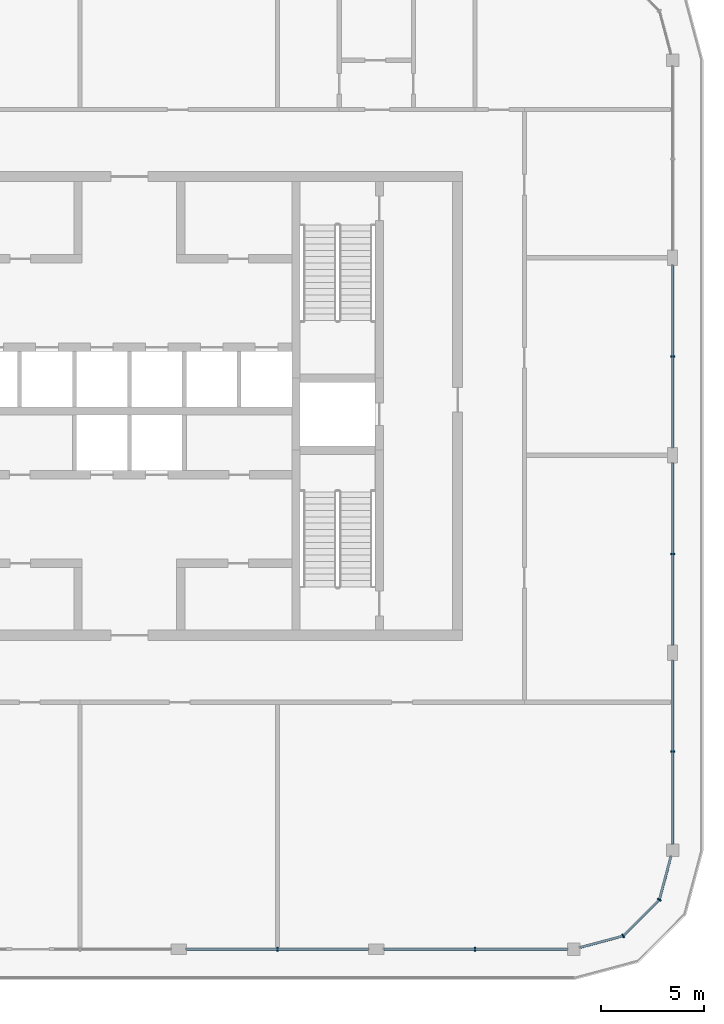
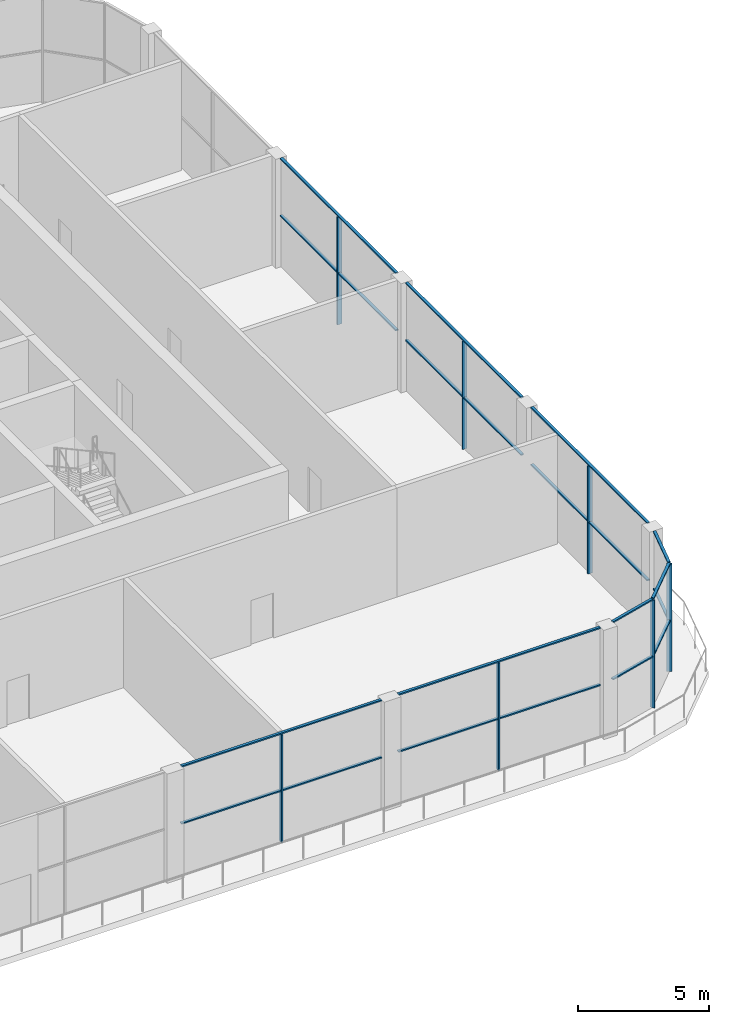
# One storey, part 4 of 15: 28 members, 6 elements without a shape of their own.
"""IFC4 building model written with IfcOpenShell, lengths in metres."""

from ifc_helpers import new_model, si_unit, direction, frame, origin, origin_2d, place, context, subcontext, project, spatial, rectangle, extrude, material, layer, layer_set, material_profile, profile_set, type_object, element, aggregate, save


model = new_model("IFC4")

# Units and contexts
model_context = context("Model", 3, precision=1e-05, world=origin(), true_north=direction((0.0, 1.0)))
body_context = subcontext(model_context, "Body", "Model", "MODEL_VIEW")
ifc_project = project(units=[si_unit("LENGTHUNIT", "METRE"), si_unit("AREAUNIT", "SQUARE_METRE"), si_unit("VOLUMEUNIT", "CUBIC_METRE"), si_unit("PLANEANGLEUNIT", "RADIAN"), si_unit("MASSUNIT", "GRAM", prefix="KILO")], contexts=[model_context])

# Site, building, storey
site_placement = place(None, origin())
site = spatial("IfcSite", under=ifc_project, at=site_placement, CompositionType="ELEMENT")
building_placement = place(site_placement, origin())
building = spatial("IfcBuilding", under=site, at=building_placement, Name="Madar Terraces", CompositionType="ELEMENT")
storey_placement = place(building_placement, frame((0.0, 0.0, 286.10009765625)))
storey = spatial("IfcBuildingStorey", under=building, at=storey_placement, Name="L75", CompositionType="ELEMENT", Elevation=286.10009765625)

# Curtain wall, member
ifc_material_1 = material(Name="Glass, clear low-iron, with black aluminium frame", Category="aluminium")
ifc_layer = layer(ifc_material_1, 0.199951171875)
ifc_layer_set = layer_set([ifc_layer], Name="Facade curtain wall, observation glazing")
curtain_wall_type = type_object("IfcCurtainWallType", Name="Facade curtain wall, observation glazing", PredefinedType="NOTDEFINED", material=ifc_layer_set)
curtain_wall_1_placement = place(storey_placement, origin())
curtain_wall_1 = element("IfcCurtainWall", 1, at=curtain_wall_1_placement, inside=storey, type_object=curtain_wall_type, Name="Outer skin curtain wall south bay 4", PredefinedType="NOTDEFINED")
ifc_material_2 = material(Name="Aluminium, black anodised", Category="aluminium")
ifc_material_profile_1 = material_profile(ifc_material_2, rectangle(XDim=0.199951171875, YDim=0.06005859375, at=origin_2d()), Name="Facade mullion 60x200")
ifc_profile_set_1 = profile_set([ifc_material_profile_1], Name="Aluminium, black anodised")
member_type_1 = type_object("IfcMemberType", Name="Facade mullion 60x200", PredefinedType="MULLION", material=ifc_profile_set_1)
member_1_placement = place(storey_placement, frame((38.39990234375, 0.0, 0.0), z_axis=(0.0, 0.0, 1.0), x_axis=(0.0, 1.0, 0.0)))
member_1 = element("IfcMember", 2, at=member_1_placement, type_object=member_type_1, Name="Mullion 1", PredefinedType="MULLION", context=body_context, shape_type="SweptSolid", body=[
    extrude(rectangle(XDim=0.199951171875, YDim=0.06005859375, at=origin_2d()), origin(), (0.0, 0.0, 1.0), 5.039794921875),
])

curtain_wall_2_placement = place(storey_placement, origin())
curtain_wall_2 = element("IfcCurtainWall", 3, at=curtain_wall_2_placement, inside=storey, type_object=curtain_wall_type, Name="Outer skin curtain wall south bay 5", PredefinedType="NOTDEFINED")
member_2_placement = place(storey_placement, frame((48.0, 0.0, 0.0), z_axis=(0.0, 0.0, 1.0), x_axis=(0.0, 1.0, 0.0)))
member_2 = element("IfcMember", 4, at=member_2_placement, type_object=member_type_1, Name="Mullion 1", PredefinedType="MULLION", context=body_context, shape_type="SweptSolid", body=[
    extrude(rectangle(XDim=0.199951171875, YDim=0.06005859375, at=origin_2d()), origin(), (0.0, 0.0, 1.0), 5.039794921875),
])

curtain_wall_3_placement = place(storey_placement, origin())
curtain_wall_3 = element("IfcCurtainWall", 5, at=curtain_wall_3_placement, inside=storey, type_object=curtain_wall_type, Name="Outer skin curtain wall east bay 1", PredefinedType="NOTDEFINED")
member_3_placement = place(storey_placement, frame((57.60009765625, 9.60009765625, 0.0), z_axis=(0.0, 0.0, 1.0), x_axis=(-1.0, 0.0, 0.0)))
member_3 = element("IfcMember", 6, at=member_3_placement, type_object=member_type_1, Name="Mullion 1", PredefinedType="MULLION", context=body_context, shape_type="SweptSolid", body=[
    extrude(rectangle(XDim=0.199951171875, YDim=0.06005859375, at=origin_2d()), origin(), (0.0, 0.0, 1.0), 5.039794921875),
])

curtain_wall_4_placement = place(storey_placement, origin())
curtain_wall_4 = element("IfcCurtainWall", 7, at=curtain_wall_4_placement, inside=storey, type_object=curtain_wall_type, Name="Outer skin curtain wall east bay 2", PredefinedType="NOTDEFINED")
member_4_placement = place(storey_placement, frame((57.60009765625, 19.199951171875, 0.0), z_axis=(0.0, 0.0, 1.0), x_axis=(-1.0, 0.0, 0.0)))
member_4 = element("IfcMember", 8, at=member_4_placement, type_object=member_type_1, Name="Mullion 1", PredefinedType="MULLION", context=body_context, shape_type="SweptSolid", body=[
    extrude(rectangle(XDim=0.199951171875, YDim=0.06005859375, at=origin_2d()), origin(), (0.0, 0.0, 1.0), 5.039794921875),
])

curtain_wall_5_placement = place(storey_placement, origin())
curtain_wall_5 = element("IfcCurtainWall", 9, at=curtain_wall_5_placement, inside=storey, type_object=curtain_wall_type, Name="Outer skin curtain wall east bay 3", PredefinedType="NOTDEFINED")
member_5_placement = place(storey_placement, frame((57.60009765625, 28.800048828125, 0.0), z_axis=(0.0, 0.0, 1.0), x_axis=(-1.0, 0.0, 0.0)))
member_5 = element("IfcMember", 10, at=member_5_placement, type_object=member_type_1, Name="Mullion 1", PredefinedType="MULLION", context=body_context, shape_type="SweptSolid", body=[
    extrude(rectangle(XDim=0.199951171875, YDim=0.06005859375, at=origin_2d()), origin(), (0.0, 0.0, 1.0), 5.039794921875),
])

# Curtain wall, members
curtain_wall_6_placement = place(storey_placement, origin())
curtain_wall_6 = element("IfcCurtainWall", 11, at=curtain_wall_6_placement, inside=storey, type_object=curtain_wall_type, Name="Outer skin curtain wall south-east corner", PredefinedType="NOTDEFINED")
member_6_placement = place(storey_placement, frame((55.199951171875, 0.64306640625, 0.0), z_axis=(0.0, 0.0, 1.0), x_axis=(-0.499999989586, 0.866025409797, 0.0)))
member_6 = element("IfcMember", 12, at=member_6_placement, type_object=member_type_1, Name="Mullion 1", PredefinedType="MULLION", context=body_context, shape_type="SweptSolid", body=[
    extrude(rectangle(XDim=0.199951171875, YDim=0.06005859375, at=origin_2d()), origin(), (0.0, 0.0, 1.0), 5.039794921875),
])
member_7_placement = place(storey_placement, frame((56.95703125, 2.39990234375, 0.0), z_axis=(0.0, 0.0, 1.0), x_axis=(-0.866025409797, 0.499999989586, 0.0)))
member_7 = element("IfcMember", 13, at=member_7_placement, type_object=member_type_1, Name="Mullion 2", PredefinedType="MULLION", context=body_context, shape_type="SweptSolid", body=[
    extrude(rectangle(XDim=0.199951171875, YDim=0.06005859375, at=origin_2d()), origin(), (0.0, 0.0, 1.0), 5.039794921875),
])

# Member
ifc_material_3 = material(Name="Aluminium, black anodised", Category="aluminium")
ifc_material_profile_2 = material_profile(ifc_material_3, rectangle(XDim=0.1201171875, YDim=0.06005859375, at=origin_2d()), Name="Facade transom 60x120")
ifc_profile_set_2 = profile_set([ifc_material_profile_2], Name="Aluminium, black anodised")
member_type_2 = type_object("IfcMemberType", Name="Facade transom 60x120", PredefinedType="USERDEFINED", material=ifc_profile_set_2)
member_8_placement = place(storey_placement, frame((33.97509765625, 0.0, 5.06982421875), z_axis=(1.0, 0.0, 0.0), x_axis=(0.0, 1.0, 0.0)))
member_8 = element("IfcMember", 14, at=member_8_placement, type_object=member_type_2, Name="Transom 1", ObjectType="TRANSOM", PredefinedType="USERDEFINED", context=body_context, shape_type="SweptSolid", body=[
    extrude(rectangle(XDim=0.1201171875, YDim=0.06005859375, at=origin_2d()), origin(), (0.0, 0.0, 1.0), 8.849853515625),
])

member_9_placement = place(storey_placement, frame((33.97509765625, 0.0, 2.39990234375), z_axis=(1.0, 0.0, 0.0), x_axis=(0.0, 1.0, 0.0)))
member_9 = element("IfcMember", 15, at=member_9_placement, type_object=member_type_2, Name="Transom 2", ObjectType="TRANSOM", PredefinedType="USERDEFINED", context=body_context, shape_type="SweptSolid", body=[
    extrude(rectangle(XDim=0.1201171875, YDim=0.06005859375, at=origin_2d()), origin(), (0.0, 0.0, 1.0), 4.39501953125),
])

member_10_placement = place(storey_placement, frame((38.429931640625, 0.0, 2.39990234375), z_axis=(1.0, 0.0, 0.0), x_axis=(0.0, 1.0, 0.0)))
member_10 = element("IfcMember", 16, at=member_10_placement, type_object=member_type_2, Name="Transom 3", ObjectType="TRANSOM", PredefinedType="USERDEFINED", context=body_context, shape_type="SweptSolid", body=[
    extrude(rectangle(XDim=0.1201171875, YDim=0.06005859375, at=origin_2d()), origin(), (0.0, 0.0, 1.0), 4.39501953125),
])

aggregate(curtain_wall_1, [member_1, member_8, member_9, member_10])

member_11_placement = place(storey_placement, frame((43.574951171875, 0.0, 5.06982421875), z_axis=(1.0, 0.0, 0.0), x_axis=(0.0, 1.0, 0.0)))
member_11 = element("IfcMember", 17, at=member_11_placement, type_object=member_type_2, Name="Transom 1", ObjectType="TRANSOM", PredefinedType="USERDEFINED", context=body_context, shape_type="SweptSolid", body=[
    extrude(rectangle(XDim=0.1201171875, YDim=0.06005859375, at=origin_2d()), origin(), (0.0, 0.0, 1.0), 8.925048828125),
])

member_12_placement = place(storey_placement, frame((43.574951171875, 0.0, 2.39990234375), z_axis=(1.0, 0.0, 0.0), x_axis=(0.0, 1.0, 0.0)))
member_12 = element("IfcMember", 18, at=member_12_placement, type_object=member_type_2, Name="Transom 2", ObjectType="TRANSOM", PredefinedType="USERDEFINED", context=body_context, shape_type="SweptSolid", body=[
    extrude(rectangle(XDim=0.1201171875, YDim=0.06005859375, at=origin_2d()), origin(), (0.0, 0.0, 1.0), 4.39501953125),
])

member_13_placement = place(storey_placement, frame((48.030029296875, 0.0, 2.39990234375), z_axis=(1.0, 0.0, 0.0), x_axis=(0.0, 1.0, 0.0)))
member_13 = element("IfcMember", 19, at=member_13_placement, type_object=member_type_2, Name="Transom 3", ObjectType="TRANSOM", PredefinedType="USERDEFINED", context=body_context, shape_type="SweptSolid", body=[
    extrude(rectangle(XDim=0.1201171875, YDim=0.06005859375, at=origin_2d()), origin(), (0.0, 0.0, 1.0), 4.469970703125),
])

aggregate(curtain_wall_2, [member_2, member_11, member_12, member_13])

member_14_placement = place(storey_placement, frame((57.60009765625, 5.10009765625, 5.06982421875), z_axis=(0.0, 1.0, 0.0), x_axis=(-1.0, 0.0, 0.0)))
member_14 = element("IfcMember", 20, at=member_14_placement, type_object=member_type_2, Name="Transom 1", ObjectType="TRANSOM", PredefinedType="USERDEFINED", context=body_context, shape_type="SweptSolid", body=[
    extrude(rectangle(XDim=0.1201171875, YDim=0.06005859375, at=origin_2d()), origin(), (0.0, 0.0, 1.0), 8.9248046875),
])

member_15_placement = place(storey_placement, frame((57.60009765625, 5.10009765625, 2.39990234375), z_axis=(0.0, 1.0, 0.0), x_axis=(-1.0, 0.0, 0.0)))
member_15 = element("IfcMember", 21, at=member_15_placement, type_object=member_type_2, Name="Transom 2", ObjectType="TRANSOM", PredefinedType="USERDEFINED", context=body_context, shape_type="SweptSolid", body=[
    extrude(rectangle(XDim=0.1201171875, YDim=0.06005859375, at=origin_2d()), origin(), (0.0, 0.0, 1.0), 4.469970703125),
])

member_16_placement = place(storey_placement, frame((57.60009765625, 9.6298828125, 2.39990234375), z_axis=(0.0, 1.0, 0.0), x_axis=(-1.0, 0.0, 0.0)))
member_16 = element("IfcMember", 22, at=member_16_placement, type_object=member_type_2, Name="Transom 3", ObjectType="TRANSOM", PredefinedType="USERDEFINED", context=body_context, shape_type="SweptSolid", body=[
    extrude(rectangle(XDim=0.1201171875, YDim=0.06005859375, at=origin_2d()), origin(), (0.0, 0.0, 1.0), 4.39501953125),
])

aggregate(curtain_wall_3, [member_3, member_14, member_15, member_16])

member_17_placement = place(storey_placement, frame((57.60009765625, 14.77490234375, 5.06982421875), z_axis=(0.0, 1.0, 0.0), x_axis=(-1.0, 0.0, 0.0)))
member_17 = element("IfcMember", 23, at=member_17_placement, type_object=member_type_2, Name="Transom 1", ObjectType="TRANSOM", PredefinedType="USERDEFINED", context=body_context, shape_type="SweptSolid", body=[
    extrude(rectangle(XDim=0.1201171875, YDim=0.06005859375, at=origin_2d()), origin(), (0.0, 0.0, 1.0), 8.85009765625),
])

member_18_placement = place(storey_placement, frame((57.60009765625, 14.77490234375, 2.39990234375), z_axis=(0.0, 1.0, 0.0), x_axis=(-1.0, 0.0, 0.0)))
member_18 = element("IfcMember", 24, at=member_18_placement, type_object=member_type_2, Name="Transom 2", ObjectType="TRANSOM", PredefinedType="USERDEFINED", context=body_context, shape_type="SweptSolid", body=[
    extrude(rectangle(XDim=0.1201171875, YDim=0.06005859375, at=origin_2d()), origin(), (0.0, 0.0, 1.0), 4.39501953125),
])

member_19_placement = place(storey_placement, frame((57.60009765625, 19.22998046875, 2.39990234375), z_axis=(0.0, 1.0, 0.0), x_axis=(-1.0, 0.0, 0.0)))
member_19 = element("IfcMember", 25, at=member_19_placement, type_object=member_type_2, Name="Transom 3", ObjectType="TRANSOM", PredefinedType="USERDEFINED", context=body_context, shape_type="SweptSolid", body=[
    extrude(rectangle(XDim=0.1201171875, YDim=0.06005859375, at=origin_2d()), origin(), (0.0, 0.0, 1.0), 4.39501953125),
])

aggregate(curtain_wall_4, [member_4, member_17, member_18, member_19])

member_20_placement = place(storey_placement, frame((57.60009765625, 24.375, 5.06982421875), z_axis=(0.0, 1.0, 0.0), x_axis=(-1.0, 0.0, 0.0)))
member_20 = element("IfcMember", 26, at=member_20_placement, type_object=member_type_2, Name="Transom 1", ObjectType="TRANSOM", PredefinedType="USERDEFINED", context=body_context, shape_type="SweptSolid", body=[
    extrude(rectangle(XDim=0.1201171875, YDim=0.06005859375, at=origin_2d()), origin(), (0.0, 0.0, 1.0), 8.85009765625),
])

member_21_placement = place(storey_placement, frame((57.60009765625, 24.375, 2.39990234375), z_axis=(0.0, 1.0, 0.0), x_axis=(-1.0, 0.0, 0.0)))
member_21 = element("IfcMember", 27, at=member_21_placement, type_object=member_type_2, Name="Transom 2", ObjectType="TRANSOM", PredefinedType="USERDEFINED", context=body_context, shape_type="SweptSolid", body=[
    extrude(rectangle(XDim=0.1201171875, YDim=0.06005859375, at=origin_2d()), origin(), (0.0, 0.0, 1.0), 4.39501953125),
])

member_22_placement = place(storey_placement, frame((57.60009765625, 28.830078125, 2.39990234375), z_axis=(0.0, 1.0, 0.0), x_axis=(-1.0, 0.0, 0.0)))
member_22 = element("IfcMember", 28, at=member_22_placement, type_object=member_type_2, Name="Transom 3", ObjectType="TRANSOM", PredefinedType="USERDEFINED", context=body_context, shape_type="SweptSolid", body=[
    extrude(rectangle(XDim=0.1201171875, YDim=0.06005859375, at=origin_2d()), origin(), (0.0, 0.0, 1.0), 4.39501953125),
])

aggregate(curtain_wall_5, [member_5, member_20, member_21, member_22])

member_23_placement = place(storey_placement, frame((53.10009765625, 0.080322265625, 5.06982421875), z_axis=(0.965926196336, 0.258817664066, 0.0), x_axis=(-0.258817664066, 0.965926196336, 0.0)))
member_23 = element("IfcMember", 29, at=member_23_placement, type_object=member_type_2, Name="Transom 1", ObjectType="TRANSOM", PredefinedType="USERDEFINED", context=body_context, shape_type="SweptSolid", body=[
    extrude(rectangle(XDim=0.1201171875, YDim=0.06005859375, at=origin_2d()), origin(), (0.0, 0.0, 1.0), 2.14404296875),
])

member_24_placement = place(storey_placement, frame((53.10009765625, 0.080322265625, 2.39990234375), z_axis=(0.965926196336, 0.258817664066, 0.0), x_axis=(-0.258817664066, 0.965926196336, 0.0)))
member_24 = element("IfcMember", 30, at=member_24_placement, type_object=member_type_2, Name="Transom 2", ObjectType="TRANSOM", PredefinedType="USERDEFINED", context=body_context, shape_type="SweptSolid", body=[
    extrude(rectangle(XDim=0.1201171875, YDim=0.06005859375, at=origin_2d()), origin(), (0.0, 0.0, 1.0), 2.14404296875),
])

member_25_placement = place(storey_placement, frame((55.22119140625, 0.664306640625, 5.06982421875), z_axis=(0.707106781187, 0.707106781187, 0.0), x_axis=(-0.707106781187, 0.707106781187, 0.0)))
member_25 = element("IfcMember", 31, at=member_25_placement, type_object=member_type_2, Name="Transom 3", ObjectType="TRANSOM", PredefinedType="USERDEFINED", context=body_context, shape_type="SweptSolid", body=[
    extrude(rectangle(XDim=0.1201171875, YDim=0.06005859375, at=origin_2d()), origin(), (0.0, 0.0, 1.0), 2.4248046875),
])

member_26_placement = place(storey_placement, frame((55.22119140625, 0.664306640625, 2.39990234375), z_axis=(0.707106781187, 0.707106781187, 0.0), x_axis=(-0.707106781187, 0.707106781187, 0.0)))
member_26 = element("IfcMember", 32, at=member_26_placement, type_object=member_type_2, Name="Transom 4", ObjectType="TRANSOM", PredefinedType="USERDEFINED", context=body_context, shape_type="SweptSolid", body=[
    extrude(rectangle(XDim=0.1201171875, YDim=0.06005859375, at=origin_2d()), origin(), (0.0, 0.0, 1.0), 2.4248046875),
])

member_27_placement = place(storey_placement, frame((56.964599609375, 2.428955078125, 5.06982421875), z_axis=(0.258817664066, 0.965926196336, 0.0), x_axis=(-0.965926196336, 0.258817664066, 0.0)))
member_27 = element("IfcMember", 33, at=member_27_placement, type_object=member_type_2, Name="Transom 5", ObjectType="TRANSOM", PredefinedType="USERDEFINED", context=body_context, shape_type="SweptSolid", body=[
    extrude(rectangle(XDim=0.1201171875, YDim=0.06005859375, at=origin_2d()), origin(), (0.0, 0.0, 1.0), 2.14404296875),
])

member_28_placement = place(storey_placement, frame((56.964599609375, 2.428955078125, 2.39990234375), z_axis=(0.258817664066, 0.965926196336, 0.0), x_axis=(-0.965926196336, 0.258817664066, 0.0)))
member_28 = element("IfcMember", 34, at=member_28_placement, type_object=member_type_2, Name="Transom 6", ObjectType="TRANSOM", PredefinedType="USERDEFINED", context=body_context, shape_type="SweptSolid", body=[
    extrude(rectangle(XDim=0.1201171875, YDim=0.06005859375, at=origin_2d()), origin(), (0.0, 0.0, 1.0), 2.14404296875),
])

aggregate(curtain_wall_6, [member_6, member_23, member_24, member_7, member_25, member_26, member_27, member_28])

save(model, "model.ifc")
